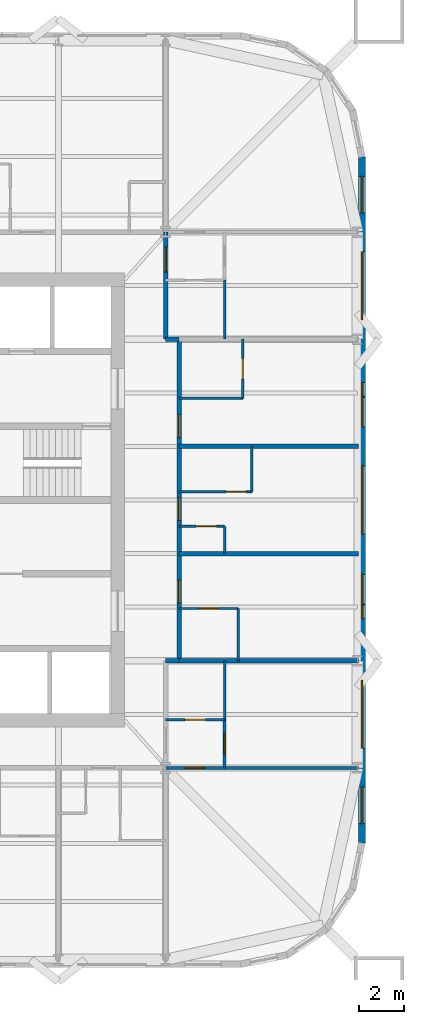
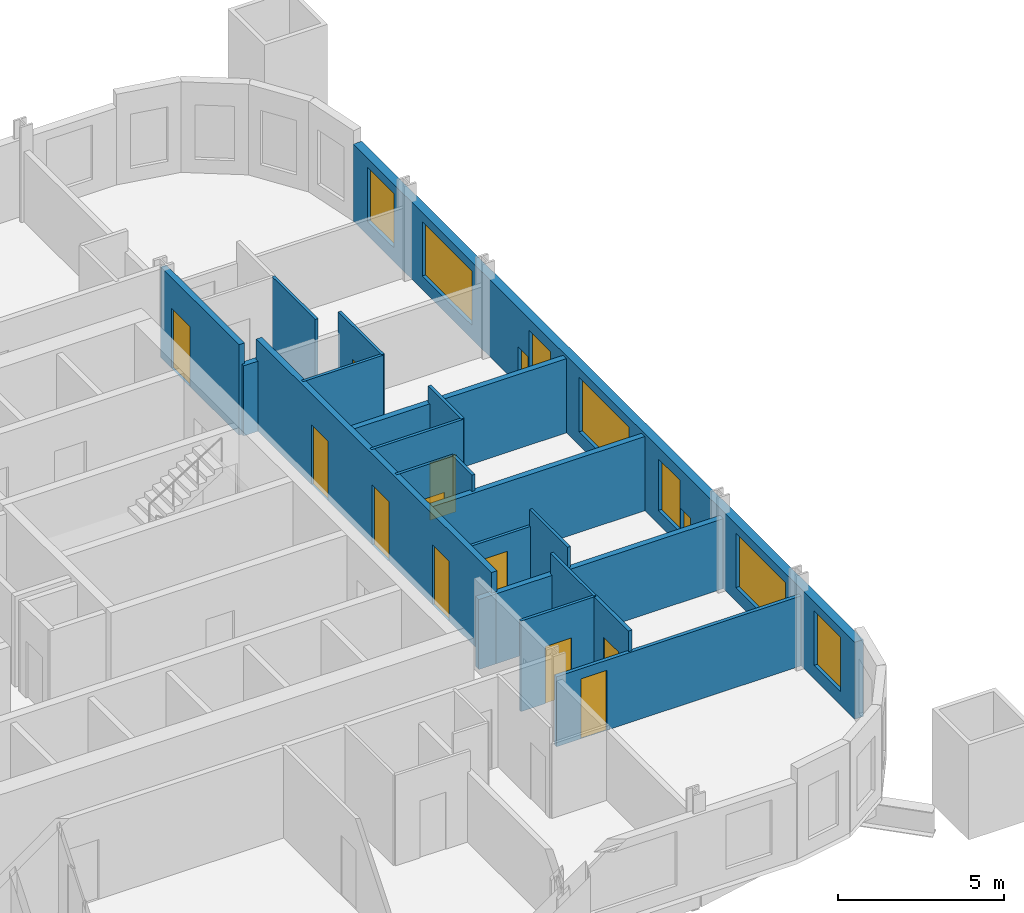
# One storey, part 6 of 9: 21 walls, 11 doors, 9 windows, 20 openings.
"""IFC4 building model written with IfcOpenShell, lengths in metres."""

from ifc_helpers import new_model, si_unit, direction, frame, frame_2d, origin, place, context, subcontext, project, spatial, rectangle, extrude, material, layer, layer_set, type_object, element, fill, save


model = new_model("IFC4")

# Units and contexts
model_context = context("Model", 3, precision=1e-05, world=origin(), true_north=direction((0.0, 1.0)))
body_context = subcontext(model_context, "Body", "Model", "MODEL_VIEW")
ifc_project = project(units=[si_unit("LENGTHUNIT", "METRE"), si_unit("AREAUNIT", "SQUARE_METRE"), si_unit("VOLUMEUNIT", "CUBIC_METRE"), si_unit("PLANEANGLEUNIT", "RADIAN"), si_unit("MASSUNIT", "GRAM", prefix="KILO")], contexts=[model_context])

# Site, building, storey
site_placement = place(None, origin())
site = spatial("IfcSite", under=ifc_project, at=site_placement, CompositionType="ELEMENT")
building_placement = place(site_placement, origin())
building = spatial("IfcBuilding", under=site, at=building_placement, Name="Turquesa Mirador Hotel Tower", CompositionType="ELEMENT")
storey_placement = place(building_placement, frame((0.0, 0.0, 114.39990234375)))
storey = spatial("IfcBuildingStorey", under=building, at=storey_placement, Name="L30", CompositionType="ELEMENT", Elevation=114.39990234375)

# Wall, opening, door
ifc_material_1 = material(Name="Gypsum board on steel studs", Category="steel")
ifc_layer_1 = layer(ifc_material_1, 0.10009765625)
ifc_layer_set_1 = layer_set([ifc_layer_1], Name="BATHROOM WALL 100")
wall_type_1 = type_object("IfcWallType", Name="BATHROOM WALL 100", PredefinedType="PARTITIONING", material=ifc_layer_set_1)
wall_1_placement = place(storey_placement, frame((67.39990234375, 43.840087890625, 0.0), z_axis=(0.0, 0.0, 1.0), x_axis=(1.0, 0.0, 0.0)))
wall_1 = element("IfcWall", 1, at=wall_1_placement, inside=storey, type_object=wall_type_1, Name="Partition L30 001", PredefinedType="PARTITIONING", context=body_context, shape_type="SweptSolid", body=[
    extrude(rectangle(XDim=2.0, YDim=0.10009765625, at=frame_2d((1.0, 0.0))), origin(), (0.0, 0.0, 1.0), 3.330078125),
])
opening_1_placement = place(wall_1_placement, frame((0.75, 0.0, 0.0)))
opening_1 = element("IfcOpeningElement", 2, at=opening_1_placement, cuts=wall_1, Name="Opening D06", PredefinedType="OPENING", context=body_context, shape_type="SweptSolid", body=[
    extrude(rectangle(XDim=0.89990234375, YDim=2.10009765625, at=frame_2d((0.449951171875, 1.050048828125))), frame((0.0, 0.06005859375, 0.0), z_axis=(0.0, -1.0, 0.0), x_axis=(1.0, 0.0, 0.0)), (0.0, 0.0, 1.0), 0.1201171875),
])
ifc_material_2 = material(Name="Laminate door", Category="wood")
door_type_1 = type_object("IfcDoorType", Name="DOOR 900X2100 WC", OperationType="SINGLE_SWING_LEFT", PredefinedType="DOOR", material=ifc_material_2)
door_1_placement = place(opening_1_placement, origin())
door_1 = element("IfcDoor", 3, at=door_1_placement, inside=storey, type_object=door_type_1, Name="Door 3009W", OperationType="SINGLE_SWING_LEFT", OverallHeight=2.10009765625, OverallWidth=0.89990234375, PredefinedType="DOOR", context=body_context, shape_type="SweptSolid", body=[
    extrude(rectangle(XDim=0.89990234375, YDim=2.10009765625, at=frame_2d((0.449951171875, 1.050048828125))), frame((0.0, 0.02490234375, 0.0), z_axis=(0.0, -1.0, 0.0), x_axis=(1.0, 0.0, 0.0)), (0.0, 0.0, 1.0), 0.050048828125),
])
fill(opening_1, door_1)

wall_2_placement = place(storey_placement, frame((67.39990234375, 40.219970703125, 0.0), z_axis=(0.0, 0.0, 1.0), x_axis=(1.0, 0.0, 0.0)))
wall_2 = element("IfcWall", 4, at=wall_2_placement, inside=storey, type_object=wall_type_1, Name="Partition L30 012", PredefinedType="PARTITIONING", context=body_context, shape_type="SweptSolid", body=[
    extrude(rectangle(XDim=2.60009765625, YDim=0.10009765625, at=frame_2d((1.300048828125, 0.0))), origin(), (0.0, 0.0, 1.0), 2.730712890625),
])
opening_2_placement = place(wall_2_placement, frame((0.85009765625, 0.0, 0.0)))
opening_2 = element("IfcOpeningElement", 5, at=opening_2_placement, cuts=wall_2, Name="Opening D02", PredefinedType="OPENING", context=body_context, shape_type="SweptSolid", body=[
    extrude(rectangle(XDim=0.89990234375, YDim=2.10009765625, at=frame_2d((0.449951171875, 1.050048828125))), frame((0.0, 0.06005859375, 0.0), z_axis=(0.0, -1.0, 0.0), x_axis=(1.0, 0.0, 0.0)), (0.0, 0.0, 1.0), 0.1201171875),
])
ifc_material_3 = material(Name="Timber veneered door", Category="wood")
door_type_2 = type_object("IfcDoorType", Name="DOOR 900X2100 EN-SUITE", OperationType="SINGLE_SWING_RIGHT", PredefinedType="DOOR", material=ifc_material_3)
door_2_placement = place(opening_2_placement, origin())
door_2 = element("IfcDoor", 6, at=door_2_placement, inside=storey, type_object=door_type_2, Name="Door 3008B", OperationType="SINGLE_SWING_RIGHT", OverallHeight=2.10009765625, OverallWidth=0.89990234375, PredefinedType="DOOR", context=body_context, shape_type="SweptSolid", body=[
    extrude(rectangle(XDim=0.89990234375, YDim=2.10009765625, at=frame_2d((0.449951171875, 1.050048828125))), frame((0.0, 0.02490234375, 0.0), z_axis=(0.0, -1.0, 0.0), x_axis=(1.0, 0.0, 0.0)), (0.0, 0.0, 1.0), 0.050048828125),
])
fill(opening_2, door_2)

wall_3_placement = place(storey_placement, frame((66.800048828125, 35.320068359375, 0.0), z_axis=(0.0, 0.0, 1.0), x_axis=(1.0, 0.0, 0.0)))
wall_3 = element("IfcWall", 7, at=wall_3_placement, inside=storey, type_object=wall_type_1, Name="Partition L30 018", PredefinedType="PARTITIONING", context=body_context, shape_type="SweptSolid", body=[
    extrude(rectangle(XDim=2.599853515625, YDim=0.10009765625, at=frame_2d((1.2998046875, 0.0))), origin(), (0.0, 0.0, 1.0), 3.330078125),
])
opening_3_placement = place(wall_3_placement, frame((0.85009765625, 0.0, 0.0)))
opening_3 = element("IfcOpeningElement", 8, at=opening_3_placement, cuts=wall_3, Name="Opening D02", PredefinedType="OPENING", context=body_context, shape_type="SweptSolid", body=[
    extrude(rectangle(XDim=0.89990234375, YDim=2.10009765625, at=frame_2d((0.449951171875, 1.050048828125))), frame((0.0, 0.06005859375, 0.0), z_axis=(0.0, -1.0, 0.0), x_axis=(1.0, 0.0, 0.0)), (0.0, 0.0, 1.0), 0.1201171875),
])
door_3_placement = place(opening_3_placement, origin())
door_3 = element("IfcDoor", 9, at=door_3_placement, inside=storey, type_object=door_type_2, Name="Door 3016B", OperationType="SINGLE_SWING_RIGHT", OverallHeight=2.10009765625, OverallWidth=0.89990234375, PredefinedType="DOOR", context=body_context, shape_type="SweptSolid", body=[
    extrude(rectangle(XDim=0.89990234375, YDim=2.10009765625, at=frame_2d((0.449951171875, 1.050048828125))), frame((0.0, 0.02490234375, 0.0), z_axis=(0.0, -1.0, 0.0), x_axis=(1.0, 0.0, 0.0)), (0.0, 0.0, 1.0), 0.050048828125),
])
fill(opening_3, door_3)

wall_4_placement = place(storey_placement, frame((67.39990234375, 45.360107421875, 0.0), z_axis=(0.0, 0.0, 1.0), x_axis=(1.0, 0.0, 0.0)))
wall_4 = element("IfcWall", 10, at=wall_4_placement, inside=storey, type_object=wall_type_1, Name="Partition L30 019", PredefinedType="PARTITIONING", context=body_context, shape_type="SweptSolid", body=[
    extrude(rectangle(XDim=3.2001953125, YDim=0.10009765625, at=frame_2d((1.60009765625, 0.0))), origin(), (0.0, 0.0, 1.0), 3.330078125),
])
opening_4_placement = place(wall_4_placement, frame((2.050048828125, 0.0, 0.0)))
opening_4 = element("IfcOpeningElement", 11, at=opening_4_placement, cuts=wall_4, Name="Opening D02", PredefinedType="OPENING", context=body_context, shape_type="SweptSolid", body=[
    extrude(rectangle(XDim=0.89990234375, YDim=2.10009765625, at=frame_2d((0.449951171875, 1.050048828125))), frame((0.0, 0.06005859375, 0.0), z_axis=(0.0, -1.0, 0.0), x_axis=(1.0, 0.0, 0.0)), (0.0, 0.0, 1.0), 0.1201171875),
])
door_4_placement = place(opening_4_placement, origin())
door_4 = element("IfcDoor", 12, at=door_4_placement, inside=storey, type_object=door_type_2, Name="Door 3009B", OperationType="SINGLE_SWING_RIGHT", OverallHeight=2.10009765625, OverallWidth=0.89990234375, PredefinedType="DOOR", context=body_context, shape_type="SweptSolid", body=[
    extrude(rectangle(XDim=0.89990234375, YDim=2.10009765625, at=frame_2d((0.449951171875, 1.050048828125))), frame((0.0, 0.02490234375, 0.0), z_axis=(0.0, -1.0, 0.0), x_axis=(1.0, 0.0, 0.0)), (0.0, 0.0, 1.0), 0.050048828125),
])
fill(opening_4, door_4)

# Walls
wall_5_placement = place(storey_placement, frame((67.39990234375, 49.47998046875, 0.0), z_axis=(0.0, 0.0, 1.0), x_axis=(1.0, 0.0, 0.0)))
element("IfcWall", 13, at=wall_5_placement, inside=storey, type_object=wall_type_1, Name="Partition L30 033", PredefinedType="PARTITIONING", context=body_context, shape_type="SweptSolid", body=[
    extrude(rectangle(XDim=2.800048828125, YDim=0.10009765625, at=frame_2d((1.39990234375, 0.0))), origin(), (0.0, 0.0, 1.0), 3.330078125),
])
wall_6_placement = place(storey_placement, frame((69.39990234375, 35.320068359375, 0.0), z_axis=(0.0, 0.0, 1.0), x_axis=(0.0, 1.0, 0.0)))
element("IfcWall", 14, at=wall_6_placement, inside=storey, type_object=wall_type_1, Name="Partition L30 070", PredefinedType="PARTITIONING", context=body_context, shape_type="SweptSolid", body=[
    extrude(rectangle(XDim=2.599853515625, YDim=0.10009765625, at=frame_2d((1.2998046875, 0.0))), origin(), (0.0, 0.0, 1.0), 3.330078125),
])
wall_7_placement = place(storey_placement, frame((69.39990234375, 42.639892578125, 0.0), z_axis=(0.0, 0.0, 1.0), x_axis=(0.0, 1.0, 0.0)))
element("IfcWall", 15, at=wall_7_placement, inside=storey, type_object=wall_type_1, Name="Partition L30 071", PredefinedType="PARTITIONING", context=body_context, shape_type="SweptSolid", body=[
    extrude(rectangle(XDim=1.2001953125, YDim=0.10009765625, at=frame_2d((0.60009765625, 0.0))), origin(), (0.0, 0.0, 1.0), 3.330078125),
])
wall_8_placement = place(storey_placement, frame((69.39990234375, 52.080078125, 0.0), z_axis=(0.0, 0.0, 1.0), x_axis=(0.0, 1.0, 0.0)))
element("IfcWall", 16, at=wall_8_placement, inside=storey, type_object=wall_type_1, Name="Partition L30 072", PredefinedType="PARTITIONING", context=body_context, shape_type="SweptSolid", body=[
    extrude(rectangle(XDim=2.599853515625, YDim=0.10009765625, at=frame_2d((1.2998046875, 0.0))), origin(), (0.0, 0.0, 1.0), 3.330078125),
])
wall_9_placement = place(storey_placement, frame((70.0, 37.919921875, 0.0), z_axis=(0.0, 0.0, 1.0), x_axis=(0.0, 1.0, 0.0)))
element("IfcWall", 17, at=wall_9_placement, inside=storey, type_object=wall_type_1, Name="Partition L30 075", PredefinedType="PARTITIONING", context=body_context, shape_type="SweptSolid", body=[
    extrude(rectangle(XDim=2.300048828125, YDim=0.10009765625, at=frame_2d((1.14990234375, 0.0))), origin(), (0.0, 0.0, 1.0), 3.330078125),
])

# Wall, opening, door
wall_10_placement = place(storey_placement, frame((70.199951171875, 49.47998046875, 0.0), z_axis=(0.0, 0.0, 1.0), x_axis=(0.0, 1.0, 0.0)))
wall_10 = element("IfcWall", 18, at=wall_10_placement, inside=storey, type_object=wall_type_1, Name="Partition L30 076", PredefinedType="PARTITIONING", context=body_context, shape_type="SweptSolid", body=[
    extrude(rectangle(XDim=2.60009765625, YDim=0.10009765625, at=frame_2d((1.300048828125, 0.0))), origin(), (0.0, 0.0, 1.0), 3.330078125),
])
opening_5_placement = place(wall_10_placement, frame((0.85009765625, 0.0, 0.0)))
opening_5 = element("IfcOpeningElement", 19, at=opening_5_placement, cuts=wall_10, Name="Opening D02", PredefinedType="OPENING", context=body_context, shape_type="SweptSolid", body=[
    extrude(rectangle(XDim=0.89990234375, YDim=2.10009765625, at=frame_2d((0.449951171875, 1.050048828125))), frame((0.0, 0.06005859375, 0.0), z_axis=(0.0, -1.0, 0.0), x_axis=(1.0, 0.0, 0.0)), (0.0, 0.0, 1.0), 0.1201171875),
])
door_5_placement = place(opening_5_placement, origin())
door_5 = element("IfcDoor", 20, at=door_5_placement, inside=storey, type_object=door_type_2, Name="Door 3010B", OperationType="SINGLE_SWING_RIGHT", OverallHeight=2.10009765625, OverallWidth=0.89990234375, PredefinedType="DOOR", context=body_context, shape_type="SweptSolid", body=[
    extrude(rectangle(XDim=0.89990234375, YDim=2.10009765625, at=frame_2d((0.449951171875, 1.050048828125))), frame((0.0, 0.02490234375, 0.0), z_axis=(0.0, -1.0, 0.0), x_axis=(1.0, 0.0, 0.0)), (0.0, 0.0, 1.0), 0.050048828125),
])
fill(opening_5, door_5)

# Walls
wall_11_placement = place(storey_placement, frame((70.60009765625, 45.360107421875, 0.0), z_axis=(0.0, 0.0, 1.0), x_axis=(0.0, 1.0, 0.0)))
element("IfcWall", 21, at=wall_11_placement, inside=storey, type_object=wall_type_1, Name="Partition L30 077", PredefinedType="PARTITIONING", context=body_context, shape_type="SweptSolid", body=[
    extrude(rectangle(XDim=2.0, YDim=0.10009765625, at=frame_2d((1.0, 0.0))), origin(), (0.0, 0.0, 1.0), 3.330078125),
])
ifc_material_4 = material(Name="Fire-rated gypsum board on steel studs", Category="steel")
ifc_layer_2 = layer(ifc_material_4, 0.199951171875)
ifc_layer_set_2 = layer_set([ifc_layer_2], Name="CORRIDOR WALL 200")
wall_type_2 = type_object("IfcWallType", Name="CORRIDOR WALL 200", PredefinedType="PARTITIONING", material=ifc_layer_set_2)
for number, where, z_axis, x_axis, name in (
    (22, (66.800048828125, 37.919921875, 0.0), (0.0, 0.0, 1.0), (1.0, 0.0, 0.0), "Partition L30 014"),
    (23, (66.800048828125, 52.080078125, 0.0), (0.0, 0.0, 1.0), (1.0, 0.0, 0.0), "Partition L30 036"),
):
    element("IfcWall", number, at=place(storey_placement, frame(where, z_axis=z_axis, x_axis=x_axis)), inside=storey, type_object=wall_type_2, Name=name, PredefinedType="PARTITIONING", context=body_context, shape_type="SweptSolid", body=[
        extrude(rectangle(XDim=0.599853515625, YDim=0.199951171875, at=frame_2d((0.2998046875, 0.0))), origin(), (0.0, 0.0, 1.0), 2.5732421875),
    ])

# Wall, opening, door
wall_12_placement = place(storey_placement, frame((66.800048828125, 52.080078125, 0.0), z_axis=(0.0, 0.0, 1.0), x_axis=(0.0, 1.0, 0.0)))
wall_12 = element("IfcWall", 24, at=wall_12_placement, inside=storey, type_object=wall_type_2, Name="Partition L30 066", PredefinedType="PARTITIONING", context=body_context, shape_type="SweptSolid", body=[
    extrude(rectangle(XDim=4.719970703125, YDim=0.199951171875, at=frame_2d((2.35986328125, 0.0))), origin(), (0.0, 0.0, 1.0), 3.330078125),
])
opening_6_placement = place(wall_12_placement, frame((2.9599609375, 0.0, 0.0)))
opening_6 = element("IfcOpeningElement", 25, at=opening_6_placement, cuts=wall_12, Name="Opening D15", PredefinedType="OPENING", context=body_context, shape_type="SweptSolid", body=[
    extrude(rectangle(XDim=1.10009765625, YDim=2.199951171875, at=frame_2d((0.550048828125, 1.10009765625))), frame((0.0, 0.10986328125, 0.0), z_axis=(0.0, -1.0, 0.0), x_axis=(1.0, 0.0, 0.0)), (0.0, 0.0, 1.0), 0.219970703125),
])
ifc_material_5 = material(Name="Timber veneered fire door", Category="wood")
door_type_3 = type_object("IfcDoorType", Name="DOOR 1100X2200 SUITE ENTRY", OperationType="SINGLE_SWING_LEFT", PredefinedType="DOOR", material=ifc_material_5)
door_6_placement = place(opening_6_placement, origin())
door_6 = element("IfcDoor", 26, at=door_6_placement, inside=storey, type_object=door_type_3, Name="Door 3013H", OperationType="SINGLE_SWING_LEFT", OverallHeight=2.199951171875, OverallWidth=1.10009765625, PredefinedType="DOOR", context=body_context, shape_type="SweptSolid", body=[
    extrude(rectangle(XDim=1.10009765625, YDim=2.199951171875, at=frame_2d((0.550048828125, 1.10009765625))), frame((0.0, 0.02490234375, 0.0), z_axis=(0.0, -1.0, 0.0), x_axis=(1.0, 0.0, 0.0)), (0.0, 0.0, 1.0), 0.050048828125),
])
fill(opening_6, door_6)

# Wall, openings, doors
wall_13_placement = place(storey_placement, frame((67.39990234375, 37.919921875, 0.0), z_axis=(0.0, 0.0, 1.0), x_axis=(0.0, 1.0, 0.0)))
wall_13 = element("IfcWall", 27, at=wall_13_placement, inside=storey, type_object=wall_type_2, Name="Partition L30 069", PredefinedType="PARTITIONING", context=body_context, shape_type="SweptSolid", body=[
    extrude(rectangle(XDim=14.16015625, YDim=0.199951171875, at=frame_2d((7.080078125, 0.0))), origin(), (0.0, 0.0, 1.0), 3.330078125),
])
opening_7_placement = place(wall_13_placement, frame((2.550048828125, 0.0, 0.0)))
opening_7 = element("IfcOpeningElement", 28, at=opening_7_placement, cuts=wall_13, Name="Opening D01", PredefinedType="OPENING", context=body_context, shape_type="SweptSolid", body=[
    extrude(rectangle(XDim=1.0, YDim=2.199951171875, at=frame_2d((0.5, 1.10009765625))), frame((0.0, 0.10986328125, 0.0), z_axis=(0.0, -1.0, 0.0), x_axis=(1.0, 0.0, 0.0)), (0.0, 0.0, 1.0), 0.219970703125),
])
opening_8_placement = place(wall_13_placement, frame((6.179931640625, 0.0, 0.0)))
opening_8 = element("IfcOpeningElement", 29, at=opening_8_placement, cuts=wall_13, Name="Opening D01", PredefinedType="OPENING", context=body_context, shape_type="SweptSolid", body=[
    extrude(rectangle(XDim=1.0, YDim=2.199951171875, at=frame_2d((0.5, 1.10009765625))), frame((0.0, 0.10986328125, 0.0), z_axis=(0.0, -1.0, 0.0), x_axis=(1.0, 0.0, 0.0)), (0.0, 0.0, 1.0), 0.219970703125),
])
opening_9_placement = place(wall_13_placement, frame((9.840087890625, 0.0, 0.0)))
opening_9 = element("IfcOpeningElement", 30, at=opening_9_placement, cuts=wall_13, Name="Opening D01", PredefinedType="OPENING", context=body_context, shape_type="SweptSolid", body=[
    extrude(rectangle(XDim=1.0, YDim=2.199951171875, at=frame_2d((0.5, 1.10009765625))), frame((0.0, 0.10986328125, 0.0), z_axis=(0.0, -1.0, 0.0), x_axis=(1.0, 0.0, 0.0)), (0.0, 0.0, 1.0), 0.219970703125),
])
ifc_material_6 = material(Name="Timber veneered fire door", Category="wood")
door_type_4 = type_object("IfcDoorType", Name="DOOR 1000X2200 GUEST ENTRY", OperationType="SINGLE_SWING_LEFT", PredefinedType="DOOR", material=ifc_material_6)
door_7_placement = place(opening_7_placement, origin())
door_7 = element("IfcDoor", 31, at=door_7_placement, inside=storey, type_object=door_type_4, Name="Door 3008", OperationType="SINGLE_SWING_LEFT", OverallHeight=2.199951171875, OverallWidth=1.0, PredefinedType="DOOR", context=body_context, shape_type="SweptSolid", body=[
    extrude(rectangle(XDim=1.0, YDim=2.199951171875, at=frame_2d((0.5, 1.10009765625))), frame((0.0, 0.02490234375, 0.0), z_axis=(0.0, -1.0, 0.0), x_axis=(1.0, 0.0, 0.0)), (0.0, 0.0, 1.0), 0.050048828125),
])
fill(opening_7, door_7)
door_8_placement = place(opening_8_placement, origin())
door_8 = element("IfcDoor", 32, at=door_8_placement, inside=storey, type_object=door_type_4, Name="Door 3009", OperationType="SINGLE_SWING_LEFT", OverallHeight=2.199951171875, OverallWidth=1.0, PredefinedType="DOOR", context=body_context, shape_type="SweptSolid", body=[
    extrude(rectangle(XDim=1.0, YDim=2.199951171875, at=frame_2d((0.5, 1.10009765625))), frame((0.0, 0.02490234375, 0.0), z_axis=(0.0, -1.0, 0.0), x_axis=(1.0, 0.0, 0.0)), (0.0, 0.0, 1.0), 0.050048828125),
])
fill(opening_8, door_8)
door_9_placement = place(opening_9_placement, origin())
door_9 = element("IfcDoor", 33, at=door_9_placement, inside=storey, type_object=door_type_4, Name="Door 3010", OperationType="SINGLE_SWING_LEFT", OverallHeight=2.199951171875, OverallWidth=1.0, PredefinedType="DOOR", context=body_context, shape_type="SweptSolid", body=[
    extrude(rectangle(XDim=1.0, YDim=2.199951171875, at=frame_2d((0.5, 1.10009765625))), frame((0.0, 0.02490234375, 0.0), z_axis=(0.0, -1.0, 0.0), x_axis=(1.0, 0.0, 0.0)), (0.0, 0.0, 1.0), 0.050048828125),
])
fill(opening_9, door_9)

# Wall, openings, windows
ifc_material_7 = material(Name="Limestone cladding on concrete block", Category="masonry")
ifc_layer_3 = layer(ifc_material_7, 0.300048828125)
ifc_layer_set_3 = layer_set([ifc_layer_3], Name="FACADE WALL 300 STONE SCREEN")
wall_type_3 = type_object("IfcWallType", Name="FACADE WALL 300 STONE SCREEN", PredefinedType="SOLIDWALL", material=ifc_layer_set_3)
wall_14_placement = place(storey_placement, frame((75.449951171875, 29.89990234375, 0.0), z_axis=(0.0, 0.0, 1.0), x_axis=(0.0, 1.0, 0.0)))
wall_14 = element("IfcWall", 34, at=wall_14_placement, inside=storey, type_object=wall_type_3, Name="Facade wall L30 04", PredefinedType="SOLIDWALL", context=body_context, shape_type="SweptSolid", body=[
    extrude(rectangle(XDim=30.2001953125, YDim=0.300048828125, at=frame_2d((15.10009765625, 0.0))), origin(), (0.0, 0.0, 1.0), 2.830078125),
])
opening_10_placement = place(wall_14_placement, frame((0.85009765625, 0.0, 0.5)))
opening_10 = element("IfcOpeningElement", 35, at=opening_10_placement, cuts=wall_14, Name="Opening WN3", PredefinedType="OPENING", context=body_context, shape_type="SweptSolid", body=[
    extrude(rectangle(XDim=1.60009765625, YDim=2.0, at=frame_2d((0.800048828125, 1.0))), frame((0.0, 0.159912109375, 0.0), z_axis=(0.0, -1.0, 0.0), x_axis=(1.0, 0.0, 0.0)), (0.0, 0.0, 1.0), 0.320068359375),
])
opening_11_placement = place(wall_14_placement, frame((4.159912109375, 0.0, 0.5)))
opening_11 = element("IfcOpeningElement", 36, at=opening_11_placement, cuts=wall_14, Name="Opening WN1", PredefinedType="OPENING", context=body_context, shape_type="SweptSolid", body=[
    extrude(rectangle(XDim=3.0, YDim=2.0, at=frame_2d((1.5, 1.0))), frame((0.0, 0.159912109375, 0.0), z_axis=(0.0, -1.0, 0.0), x_axis=(1.0, 0.0, 0.0)), (0.0, 0.0, 1.0), 0.320068359375),
])
opening_12_placement = place(wall_14_placement, frame((10.530029296875, 0.0, 0.5)))
opening_12 = element("IfcOpeningElement", 37, at=opening_12_placement, cuts=wall_14, Name="Opening WN27", PredefinedType="OPENING", context=body_context, shape_type="SweptSolid", body=[
    extrude(rectangle(XDim=1.300048828125, YDim=1.89990234375, at=frame_2d((0.64990234375, 0.949951171875))), frame((0.0, 0.159912109375, 0.0), z_axis=(0.0, -1.0, 0.0), x_axis=(1.0, 0.0, 0.0)), (0.0, 0.0, 1.0), 0.320068359375),
])
opening_13_placement = place(wall_14_placement, frame((13.60009765625, 0.0, 0.5)))
opening_13 = element("IfcOpeningElement", 38, at=opening_13_placement, cuts=wall_14, Name="Opening WN1", PredefinedType="OPENING", context=body_context, shape_type="SweptSolid", body=[
    extrude(rectangle(XDim=3.0, YDim=2.0, at=frame_2d((1.5, 1.0))), frame((0.0, 0.159912109375, 0.0), z_axis=(0.0, -1.0, 0.0), x_axis=(1.0, 0.0, 0.0)), (0.0, 0.0, 1.0), 0.320068359375),
])
opening_14_placement = place(wall_14_placement, frame((18.320068359375, 0.0, 0.5)))
opening_14 = element("IfcOpeningElement", 39, at=opening_14_placement, cuts=wall_14, Name="Opening WN27", PredefinedType="OPENING", context=body_context, shape_type="SweptSolid", body=[
    extrude(rectangle(XDim=1.300048828125, YDim=1.89990234375, at=frame_2d((0.64990234375, 0.949951171875))), frame((0.0, 0.159912109375, 0.0), z_axis=(0.0, -1.0, 0.0), x_axis=(1.0, 0.0, 0.0)), (0.0, 0.0, 1.0), 0.320068359375),
])
opening_15_placement = place(wall_14_placement, frame((23.0400390625, 0.0, 0.5)))
opening_15 = element("IfcOpeningElement", 40, at=opening_15_placement, cuts=wall_14, Name="Opening WN1", PredefinedType="OPENING", context=body_context, shape_type="SweptSolid", body=[
    extrude(rectangle(XDim=3.0, YDim=2.0, at=frame_2d((1.5, 1.0))), frame((0.0, 0.159912109375, 0.0), z_axis=(0.0, -1.0, 0.0), x_axis=(1.0, 0.0, 0.0)), (0.0, 0.0, 1.0), 0.320068359375),
])
opening_16_placement = place(wall_14_placement, frame((27.75, 0.0, 0.5)))
opening_16 = element("IfcOpeningElement", 41, at=opening_16_placement, cuts=wall_14, Name="Opening WN3", PredefinedType="OPENING", context=body_context, shape_type="SweptSolid", body=[
    extrude(rectangle(XDim=1.60009765625, YDim=2.0, at=frame_2d((0.800048828125, 1.0))), frame((0.0, 0.159912109375, 0.0), z_axis=(0.0, -1.0, 0.0), x_axis=(1.0, 0.0, 0.0)), (0.0, 0.0, 1.0), 0.320068359375),
])
opening_17_placement = place(wall_14_placement, frame((9.8798828125, 0.0, 0.5)))
opening_17 = element("IfcOpeningElement", 42, at=opening_17_placement, cuts=wall_14, Name="Opening WN25", PredefinedType="OPENING", context=body_context, shape_type="SweptSolid", body=[
    extrude(rectangle(XDim=0.60009765625, YDim=0.89990234375, at=frame_2d((0.300048828125, 0.449951171875))), frame((0.0, 0.159912109375, 0.0), z_axis=(0.0, -1.0, 0.0), x_axis=(1.0, 0.0, 0.0)), (0.0, 0.0, 1.0), 0.320068359375),
])
opening_18_placement = place(wall_14_placement, frame((19.669921875, 0.0, 0.5)))
opening_18 = element("IfcOpeningElement", 43, at=opening_18_placement, cuts=wall_14, Name="Opening WN25", PredefinedType="OPENING", context=body_context, shape_type="SweptSolid", body=[
    extrude(rectangle(XDim=0.60009765625, YDim=0.89990234375, at=frame_2d((0.300048828125, 0.449951171875))), frame((0.0, 0.159912109375, 0.0), z_axis=(0.0, -1.0, 0.0), x_axis=(1.0, 0.0, 0.0)), (0.0, 0.0, 1.0), 0.320068359375),
])
ifc_material_8 = material(Name="Ceramic-fritted laminated glass", Category="glass")
window_type_1 = type_object("IfcWindowType", Name="FRITTED WINDOW 1300X1900", PartitioningType="DOUBLE_PANEL_HORIZONTAL", PredefinedType="WINDOW", material=ifc_material_8)
window_1_placement = place(opening_12_placement, origin())
window_1 = element("IfcWindow", 44, at=window_1_placement, inside=storey, type_object=window_type_1, Name="Window L30", OverallHeight=1.89990234375, OverallWidth=1.300048828125, PartitioningType="SINGLE_PANEL", PredefinedType="WINDOW", context=body_context, shape_type="SweptSolid", body=[
    extrude(rectangle(XDim=1.300048828125, YDim=1.89990234375, at=frame_2d((0.64990234375, 0.949951171875))), frame((0.0, 0.030029296875, 0.0), z_axis=(0.0, -1.0, 0.0), x_axis=(1.0, 0.0, 0.0)), (0.0, 0.0, 1.0), 0.06005859375),
])
fill(opening_12, window_1)
window_2_placement = place(opening_14_placement, origin())
window_2 = element("IfcWindow", 45, at=window_2_placement, inside=storey, type_object=window_type_1, Name="Window L30", OverallHeight=1.89990234375, OverallWidth=1.300048828125, PartitioningType="SINGLE_PANEL", PredefinedType="WINDOW", context=body_context, shape_type="SweptSolid", body=[
    extrude(rectangle(XDim=1.300048828125, YDim=1.89990234375, at=frame_2d((0.64990234375, 0.949951171875))), frame((0.0, 0.030029296875, 0.0), z_axis=(0.0, -1.0, 0.0), x_axis=(1.0, 0.0, 0.0)), (0.0, 0.0, 1.0), 0.06005859375),
])
fill(opening_14, window_2)
ifc_material_9 = material(Name="Ceramic-fritted laminated glass", Category="glass")
window_type_2 = type_object("IfcWindowType", Name="FRITTED WINDOW 1600X2000", PartitioningType="DOUBLE_PANEL_HORIZONTAL", PredefinedType="WINDOW", material=ifc_material_9)
window_3_placement = place(opening_10_placement, origin())
window_3 = element("IfcWindow", 46, at=window_3_placement, inside=storey, type_object=window_type_2, Name="Window L30", OverallHeight=2.0, OverallWidth=1.60009765625, PartitioningType="SINGLE_PANEL", PredefinedType="WINDOW", context=body_context, shape_type="SweptSolid", body=[
    extrude(rectangle(XDim=1.60009765625, YDim=2.0, at=frame_2d((0.800048828125, 1.0))), frame((0.0, 0.030029296875, 0.0), z_axis=(0.0, -1.0, 0.0), x_axis=(1.0, 0.0, 0.0)), (0.0, 0.0, 1.0), 0.06005859375),
])
fill(opening_10, window_3)
window_4_placement = place(opening_16_placement, origin())
window_4 = element("IfcWindow", 47, at=window_4_placement, inside=storey, type_object=window_type_2, Name="Window L30", OverallHeight=2.0, OverallWidth=1.60009765625, PartitioningType="SINGLE_PANEL", PredefinedType="WINDOW", context=body_context, shape_type="SweptSolid", body=[
    extrude(rectangle(XDim=1.60009765625, YDim=2.0, at=frame_2d((0.800048828125, 1.0))), frame((0.0, 0.030029296875, 0.0), z_axis=(0.0, -1.0, 0.0), x_axis=(1.0, 0.0, 0.0)), (0.0, 0.0, 1.0), 0.06005859375),
])
fill(opening_16, window_4)
ifc_material_10 = material(Name="Ceramic-fritted laminated glass", Category="glass")
window_type_3 = type_object("IfcWindowType", Name="FRITTED WINDOW 3000X2000", PartitioningType="DOUBLE_PANEL_HORIZONTAL", PredefinedType="WINDOW", material=ifc_material_10)
window_5_placement = place(opening_11_placement, origin())
window_5 = element("IfcWindow", 48, at=window_5_placement, inside=storey, type_object=window_type_3, Name="Window L30", OverallHeight=2.0, OverallWidth=3.0, PartitioningType="SINGLE_PANEL", PredefinedType="WINDOW", context=body_context, shape_type="SweptSolid", body=[
    extrude(rectangle(XDim=3.0, YDim=2.0, at=frame_2d((1.5, 1.0))), frame((0.0, 0.030029296875, 0.0), z_axis=(0.0, -1.0, 0.0), x_axis=(1.0, 0.0, 0.0)), (0.0, 0.0, 1.0), 0.06005859375),
])
fill(opening_11, window_5)
window_6_placement = place(opening_13_placement, origin())
window_6 = element("IfcWindow", 49, at=window_6_placement, inside=storey, type_object=window_type_3, Name="Window L30", OverallHeight=2.0, OverallWidth=3.0, PartitioningType="SINGLE_PANEL", PredefinedType="WINDOW", context=body_context, shape_type="SweptSolid", body=[
    extrude(rectangle(XDim=3.0, YDim=2.0, at=frame_2d((1.5, 1.0))), frame((0.0, 0.030029296875, 0.0), z_axis=(0.0, -1.0, 0.0), x_axis=(1.0, 0.0, 0.0)), (0.0, 0.0, 1.0), 0.06005859375),
])
fill(opening_13, window_6)
window_7_placement = place(opening_15_placement, origin())
window_7 = element("IfcWindow", 50, at=window_7_placement, inside=storey, type_object=window_type_3, Name="Window L30", OverallHeight=2.0, OverallWidth=3.0, PartitioningType="SINGLE_PANEL", PredefinedType="WINDOW", context=body_context, shape_type="SweptSolid", body=[
    extrude(rectangle(XDim=3.0, YDim=2.0, at=frame_2d((1.5, 1.0))), frame((0.0, 0.030029296875, 0.0), z_axis=(0.0, -1.0, 0.0), x_axis=(1.0, 0.0, 0.0)), (0.0, 0.0, 1.0), 0.06005859375),
])
fill(opening_15, window_7)
ifc_material_11 = material(Name="Ceramic-fritted laminated glass", Category="glass")
window_type_4 = type_object("IfcWindowType", Name="FRITTED WINDOW 600X900", PartitioningType="DOUBLE_PANEL_HORIZONTAL", PredefinedType="WINDOW", material=ifc_material_11)
window_8_placement = place(opening_17_placement, origin())
window_8 = element("IfcWindow", 51, at=window_8_placement, inside=storey, type_object=window_type_4, Name="Window L30", OverallHeight=0.89990234375, OverallWidth=0.60009765625, PartitioningType="SINGLE_PANEL", PredefinedType="WINDOW", context=body_context, shape_type="SweptSolid", body=[
    extrude(rectangle(XDim=0.60009765625, YDim=0.89990234375, at=frame_2d((0.300048828125, 0.449951171875))), frame((0.0, 0.030029296875, 0.0), z_axis=(0.0, -1.0, 0.0), x_axis=(1.0, 0.0, 0.0)), (0.0, 0.0, 1.0), 0.06005859375),
])
fill(opening_17, window_8)
window_9_placement = place(opening_18_placement, origin())
window_9 = element("IfcWindow", 52, at=window_9_placement, inside=storey, type_object=window_type_4, Name="Window L30", OverallHeight=0.89990234375, OverallWidth=0.60009765625, PartitioningType="SINGLE_PANEL", PredefinedType="WINDOW", context=body_context, shape_type="SweptSolid", body=[
    extrude(rectangle(XDim=0.60009765625, YDim=0.89990234375, at=frame_2d((0.300048828125, 0.449951171875))), frame((0.0, 0.030029296875, 0.0), z_axis=(0.0, -1.0, 0.0), x_axis=(1.0, 0.0, 0.0)), (0.0, 0.0, 1.0), 0.06005859375),
])
fill(opening_18, window_9)

# Walls
ifc_material_12 = material(Name="Fire-rated gypsum board on steel studs", Category="steel")
ifc_layer_4 = layer(ifc_material_12, 0.199951171875)
ifc_layer_set_4 = layer_set([ifc_layer_4], Name="PARTY WALL 200")
wall_type_4 = type_object("IfcWallType", Name="PARTY WALL 200", PredefinedType="PARTITIONING", material=ifc_layer_set_4)
wall_15_placement = place(storey_placement, frame((67.39990234375, 42.639892578125, 0.0), z_axis=(0.0, 0.0, 1.0), x_axis=(1.0, 0.0, 0.0)))
element("IfcWall", 53, at=wall_15_placement, inside=storey, type_object=wall_type_4, Name="Partition L30 010", PredefinedType="PARTITIONING", context=body_context, shape_type="SweptSolid", body=[
    extrude(rectangle(XDim=7.900146484375, YDim=0.199951171875, at=frame_2d((3.9501953125, 0.0))), origin(), (0.0, 0.0, 1.0), 2.730712890625),
])
wall_16_placement = place(storey_placement, frame((67.39990234375, 37.919921875, 0.0), z_axis=(0.0, 0.0, 1.0), x_axis=(1.0, 0.0, 0.0)))
element("IfcWall", 54, at=wall_16_placement, inside=storey, type_object=wall_type_4, Name="Partition L30 016", PredefinedType="PARTITIONING", context=body_context, shape_type="SweptSolid", body=[
    extrude(rectangle(XDim=7.900146484375, YDim=0.199951171875, at=frame_2d((3.9501953125, 0.0))), origin(), (0.0, 0.0, 1.0), 2.5732421875),
])
wall_17_placement = place(storey_placement, frame((67.39990234375, 47.360107421875, 0.0), z_axis=(0.0, 0.0, 1.0), x_axis=(1.0, 0.0, 0.0)))
element("IfcWall", 55, at=wall_17_placement, inside=storey, type_object=wall_type_4, Name="Partition L30 032", PredefinedType="PARTITIONING", context=body_context, shape_type="SweptSolid", body=[
    extrude(rectangle(XDim=7.900146484375, YDim=0.199951171875, at=frame_2d((3.9501953125, 0.0))), origin(), (0.0, 0.0, 1.0), 2.730712890625),
])

# Wall, opening, door
ifc_material_13 = material(Name="Acoustic gypsum board on steel studs", Category="steel")
ifc_layer_5 = layer(ifc_material_13, 0.125)
ifc_layer_set_5 = layer_set([ifc_layer_5], Name="SUITE PARTITION 125")
wall_type_5 = type_object("IfcWallType", Name="SUITE PARTITION 125", PredefinedType="PARTITIONING", material=ifc_layer_set_5)
wall_18_placement = place(storey_placement, frame((66.800048828125, 33.199951171875, 0.0), z_axis=(0.0, 0.0, 1.0), x_axis=(1.0, 0.0, 0.0)))
wall_18 = element("IfcWall", 56, at=wall_18_placement, inside=storey, type_object=wall_type_5, Name="Partition L30 004", PredefinedType="PARTITIONING", context=body_context, shape_type="SweptSolid", body=[
    extrude(rectangle(XDim=8.5, YDim=0.125, at=frame_2d((4.25, 0.0))), origin(), (0.0, 0.0, 1.0), 2.5732421875),
])
opening_19_placement = place(wall_18_placement, frame((0.85009765625, 0.0, 0.0)))
opening_19 = element("IfcOpeningElement", 57, at=opening_19_placement, cuts=wall_18, Name="Opening D17", PredefinedType="OPENING", context=body_context, shape_type="SweptSolid", body=[
    extrude(rectangle(XDim=0.89990234375, YDim=2.199951171875, at=frame_2d((0.449951171875, 1.10009765625))), frame((0.0, 0.072509765625, 0.0), z_axis=(0.0, -1.0, 0.0), x_axis=(1.0, 0.0, 0.0)), (0.0, 0.0, 1.0), 0.14501953125),
])
ifc_material_14 = material(Name="Timber veneered door", Category="wood")
door_type_5 = type_object("IfcDoorType", Name="DOOR 900X2200 SUITE INTERNAL", OperationType="SINGLE_SWING_LEFT", PredefinedType="DOOR", material=ifc_material_14)
door_10_placement = place(opening_19_placement, origin())
door_10 = element("IfcDoor", 58, at=door_10_placement, inside=storey, type_object=door_type_5, Name="Door 3016", OperationType="SINGLE_SWING_LEFT", OverallHeight=2.199951171875, OverallWidth=0.89990234375, PredefinedType="DOOR", context=body_context, shape_type="SweptSolid", body=[
    extrude(rectangle(XDim=0.89990234375, YDim=2.199951171875, at=frame_2d((0.449951171875, 1.10009765625))), frame((0.0, 0.02490234375, 0.0), z_axis=(0.0, -1.0, 0.0), x_axis=(1.0, 0.0, 0.0)), (0.0, 0.0, 1.0), 0.050048828125),
])
fill(opening_19, door_10)

wall_19_placement = place(storey_placement, frame((69.39990234375, 33.199951171875, 0.0), z_axis=(0.0, 0.0, 1.0), x_axis=(0.0, 1.0, 0.0)))
wall_19 = element("IfcWall", 59, at=wall_19_placement, inside=storey, type_object=wall_type_5, Name="Partition L30 073", PredefinedType="PARTITIONING", context=body_context, shape_type="SweptSolid", body=[
    extrude(rectangle(XDim=2.1201171875, YDim=0.125, at=frame_2d((1.06005859375, 0.0))), origin(), (0.0, 0.0, 1.0), 3.330078125),
])
opening_20_placement = place(wall_19_placement, frame((0.610107421875, 0.0, 0.0)))
opening_20 = element("IfcOpeningElement", 60, at=opening_20_placement, cuts=wall_19, Name="Opening D17", PredefinedType="OPENING", context=body_context, shape_type="SweptSolid", body=[
    extrude(rectangle(XDim=0.89990234375, YDim=2.199951171875, at=frame_2d((0.449951171875, 1.10009765625))), frame((0.0, 0.072509765625, 0.0), z_axis=(0.0, -1.0, 0.0), x_axis=(1.0, 0.0, 0.0)), (0.0, 0.0, 1.0), 0.14501953125),
])
door_11_placement = place(opening_20_placement, origin())
door_11 = element("IfcDoor", 61, at=door_11_placement, inside=storey, type_object=door_type_5, Name="Door 3016R", OperationType="SINGLE_SWING_LEFT", OverallHeight=2.199951171875, OverallWidth=0.89990234375, PredefinedType="DOOR", context=body_context, shape_type="SweptSolid", body=[
    extrude(rectangle(XDim=0.89990234375, YDim=2.199951171875, at=frame_2d((0.449951171875, 1.10009765625))), frame((0.0, 0.02490234375, 0.0), z_axis=(0.0, -1.0, 0.0), x_axis=(1.0, 0.0, 0.0)), (0.0, 0.0, 1.0), 0.050048828125),
])
fill(opening_20, door_11)

save(model, "model.ifc")
